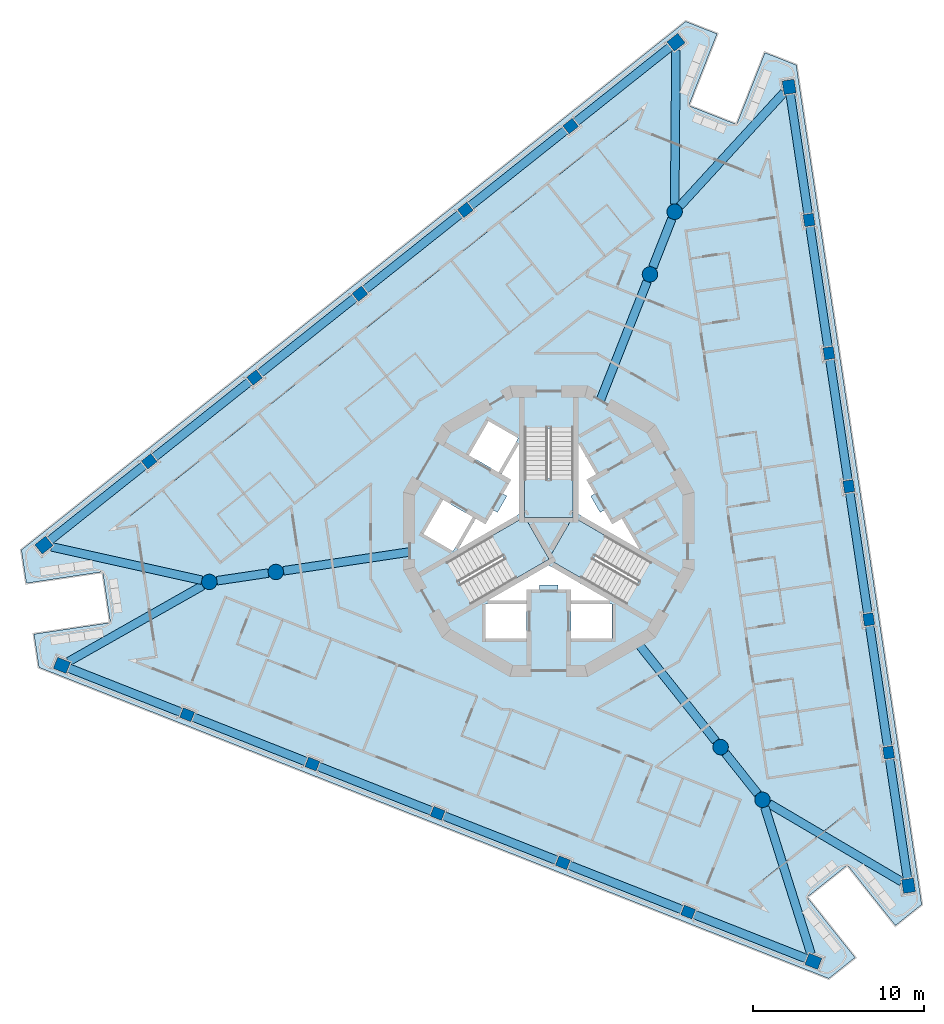
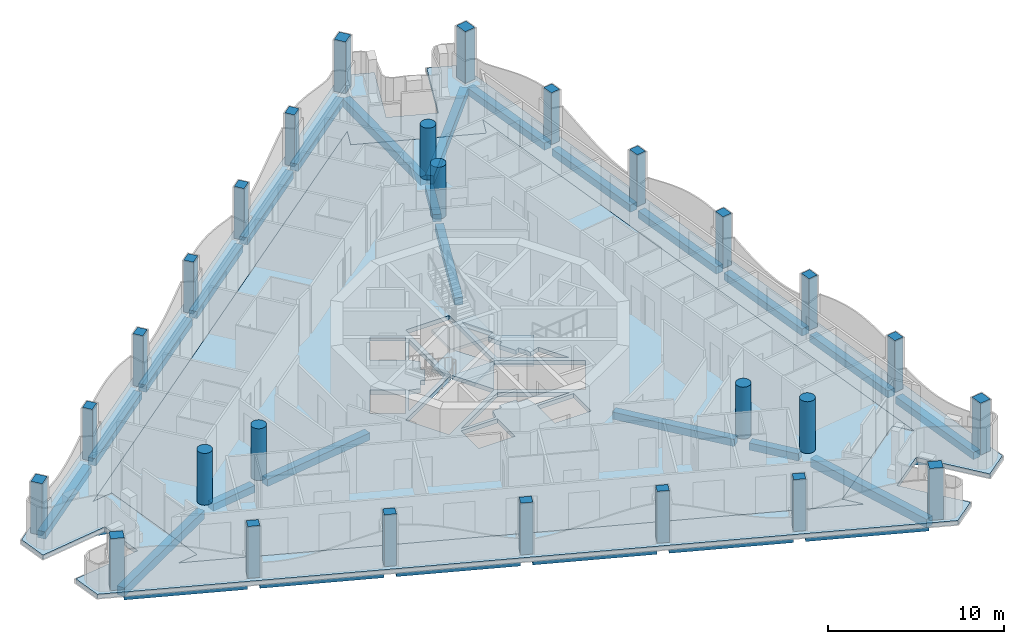
# One storey, part 1 of 16: 30 beams, 27 columns, 6 slabs, 3 elements without a shape of their own.
"""IFC4 building model written with IfcOpenShell, lengths in metres."""

import ifcopenshell
import ifcopenshell.guid

model = None  # the IFC model being written
_history = None  # IfcOwnerHistory: only IFC2X3 demands one
_inside = {}  # id of a spatial element -> (the spatial element, [elements in it])
_under = {}  # id of a project, library or spatial element -> (it, [spatial elements below it])
_declared = {}  # id of a project -> (the project, [libraries it declares])
_typed = {}  # id of a type object -> (the type object, [elements of that type])
_made_of = {}  # id of a material, layer set ... -> (it, [elements and type objects made of it])


def new_model(schema):
    """Start an empty IFC model of exactly this schema.

    Asked for "IFC4X3", IfcOpenShell would pick the latest addendum, in which some entities
    have other attributes; the version numbers below select the first issue.
    IFC2X3 requires an IfcOwnerHistory on every rooted entity: one is made here for all.
    """
    global model, _history
    if schema == "IFC4X3":
        model = ifcopenshell.file(schema_version=(4, 3, 0, 0))
    else:
        model = ifcopenshell.file(schema=schema)
    _inside.clear()
    _under.clear()
    _declared.clear()
    _typed.clear()
    _made_of.clear()
    _history = None
    if model.schema == "IFC2X3":
        org = make("IfcOrganization", Name="unknown")
        user = make(
            "IfcPersonAndOrganization",
            ThePerson=make("IfcPerson", FamilyName="unknown"),
            TheOrganization=org,
        )
        app = make(
            "IfcApplication",
            ApplicationDeveloper=org,
            Version="unknown",
            ApplicationFullName="unknown",
            ApplicationIdentifier="unknown",
        )
        _history = make(
            "IfcOwnerHistory",
            OwningUser=user,
            OwningApplication=app,
            ChangeAction="ADDED",
            CreationDate=0,
        )
    return model


def make(cls, **values):
    """One entity of the class cls with the attributes given. An attribute that is None is left unset."""
    return model.create_entity(
        cls, **{name: value for name, value in values.items() if value is not None}
    )


def rooted(cls, **values):
    """An entity with a GlobalId (a new one), such as an element, a storey or a relation."""
    return make(cls, GlobalId=ifcopenshell.guid.new(), OwnerHistory=_history, **values)


def si_unit(unit_type, name, prefix=None):
    """IfcSIUnit, for example si_unit("LENGTHUNIT", "METRE", prefix="MILLI")."""
    return make("IfcSIUnit", UnitType=unit_type, Prefix=prefix, Name=name)


def assignment(units):
    """IfcUnitAssignment: the units of a project."""
    return None if units is None else make("IfcUnitAssignment", Units=units)


def point(xyz):
    """IfcCartesianPoint."""
    return None if xyz is None else make("IfcCartesianPoint", Coordinates=xyz)


def direction(xyz):
    """IfcDirection."""
    return None if xyz is None else make("IfcDirection", DirectionRatios=xyz)


def frame(location, z_axis=None, x_axis=None):
    """IfcAxis2Placement3D, a coordinate frame: its origin and axes. An axis left out is left unset."""
    return make(
        "IfcAxis2Placement3D",
        Location=point(location),
        Axis=direction(z_axis),
        RefDirection=direction(x_axis),
    )


def frame_2d(location, x_axis=None):
    """IfcAxis2Placement2D, a coordinate frame in the plane: its origin and x axis."""
    return make(
        "IfcAxis2Placement2D", Location=point(location), RefDirection=direction(x_axis)
    )


def origin():
    """The frame at (0, 0, 0) with its axes left unset."""
    return frame((0.0, 0.0, 0.0))


def origin_2d():
    """The frame at (0, 0) in the plane with its x axis left unset."""
    return frame_2d((0.0, 0.0))


def place(relative_to, where):
    """IfcLocalPlacement: puts the frame where relative to a parent placement (None: the world)."""
    return make(
        "IfcLocalPlacement", PlacementRelTo=relative_to, RelativePlacement=where
    )


def context(
    kind, dimensions, precision=None, world=None, true_north=None, identifier=None
):
    """IfcGeometricRepresentationContext, for example the 3D "Model" context."""
    return make(
        "IfcGeometricRepresentationContext",
        ContextIdentifier=identifier,
        ContextType=kind,
        CoordinateSpaceDimension=dimensions,
        Precision=precision,
        WorldCoordinateSystem=world,
        TrueNorth=true_north,
    )


def subcontext(parent, identifier, kind, view, scale=None):
    """IfcGeometricRepresentationSubContext, for example "Body" below "Model"."""
    return make(
        "IfcGeometricRepresentationSubContext",
        ContextIdentifier=identifier,
        ContextType=kind,
        ParentContext=parent,
        TargetScale=scale,
        TargetView=view,
    )


def project(units=None, contexts=None):
    """IfcProject with its units and contexts."""
    return rooted(
        "IfcProject",
        Name="project",
        RepresentationContexts=contexts,
        UnitsInContext=assignment(units),
    )


def spatial(cls, under=None, at=None, **own):
    """A site, building, storey or space (cls), placed at a placement, below another one or the project."""
    s = rooted(cls, ObjectPlacement=at, **own)
    if under is not None:
        _under.setdefault(under.id(), (under, []))[1].append(s)
    return s


def polyline(points):
    """IfcPolyline through the points."""
    return make("IfcPolyline", Points=[point(p) for p in points])


def profile(cls, at=None, kind="AREA", **sizes):
    """A parametric profile (cls). Its sizes go by their IFC names, for example OverallWidth=200.0."""
    return make(cls, ProfileType=kind, Position=at, **sizes)


def rectangle(**sizes):
    """IfcRectangleProfileDef."""
    return profile("IfcRectangleProfileDef", **sizes)


def circle(**sizes):
    """IfcCircleProfileDef."""
    return profile("IfcCircleProfileDef", **sizes)


def outline(outer, holes=None, kind="AREA"):
    """IfcArbitraryClosedProfileDef: a profile drawn as a closed curve; with holes, ...WithVoids."""
    if holes is None:
        return make("IfcArbitraryClosedProfileDef", ProfileType=kind, OuterCurve=outer)
    return make(
        "IfcArbitraryProfileDefWithVoids",
        ProfileType=kind,
        OuterCurve=outer,
        InnerCurves=holes,
    )


def extrude(swept, where, along, depth):
    """IfcExtrudedAreaSolid: the profile swept, set in the frame where, extruded along a direction by depth."""
    return make(
        "IfcExtrudedAreaSolid",
        SweptArea=swept,
        Position=where,
        ExtrudedDirection=direction(along),
        Depth=depth,
    )


def shape(context_of_items, identifier, shape_type, items):
    """IfcShapeRepresentation: the items that make up one representation, for example the "Body"."""
    return make(
        "IfcShapeRepresentation",
        ContextOfItems=context_of_items,
        RepresentationIdentifier=identifier,
        RepresentationType=shape_type,
        Items=items,
    )


def material(Name=None, Category=None):
    """IfcMaterial."""
    return make("IfcMaterial", Name=Name, Category=Category)


def layer(
    of_material, thickness, ventilated=None, Name=None, Category=None, Priority=None
):
    """IfcMaterialLayer: one layer of a wall or slab, of a material (None: an air gap)."""
    return make(
        "IfcMaterialLayer",
        Material=of_material,
        LayerThickness=thickness,
        IsVentilated=ventilated,
        Name=Name,
        Category=Category,
        Priority=Priority,
    )


def layer_set(layers, Name=None):
    """IfcMaterialLayerSet."""
    return make("IfcMaterialLayerSet", MaterialLayers=layers, LayerSetName=Name)


def material_profile(
    of_material, cross_section, Name=None, Category=None, Priority=None
):
    """IfcMaterialProfile: a cross section and its material."""
    return make(
        "IfcMaterialProfile",
        Name=Name,
        Material=of_material,
        Profile=cross_section,
        Priority=Priority,
        Category=Category,
    )


def profile_set(profiles, Name=None, composite=None):
    """IfcMaterialProfileSet."""
    return make(
        "IfcMaterialProfileSet",
        Name=Name,
        MaterialProfiles=profiles,
        CompositeProfile=composite,
    )


def made_of(thing, what):
    """Note that an element or type object is made of a material, layer set ...; save() writes the relation."""
    if what is not None:
        _made_of.setdefault(what.id(), (what, []))[1].append(thing)
    return thing


def type_object(cls, material=None, **own):
    """A type object (cls), such as IfcWallType, which elements share."""
    return made_of(rooted(cls, **own), material)


def element(
    cls,
    number,
    at=None,
    inside=None,
    cuts=None,
    type_object=None,
    material=None,
    context=None,
    identifier="Body",
    shape_type=None,
    held_by="IfcProductDefinitionShape",
    body=None,
    shapes=None,
    **own,
):
    """One element of the class cls, such as IfcWall. Its Tag is "e" and its number.

    at: its placement. inside: the storey or other place that contains it. cuts: it is an
    opening in that element (IfcRelVoidsElement). A single representation is given by context,
    identifier, shape_type and body (its items); several are given by shapes. held_by: the class
    of the entity that holds the representations. save() writes the other relations.
    """
    e = rooted(cls, Tag="e%d" % number, ObjectPlacement=at, **own)
    if body is not None:
        shapes = [shape(context, identifier, shape_type, body)]
    if shapes is not None:
        e.Representation = make(held_by, Representations=shapes)
    if inside is not None:
        _inside.setdefault(inside.id(), (inside, []))[1].append(e)
    if cuts is not None:
        rooted(
            "IfcRelVoidsElement", RelatingBuildingElement=cuts, RelatedOpeningElement=e
        )
    if type_object is not None:
        _typed.setdefault(type_object.id(), (type_object, []))[1].append(e)
    return made_of(e, material)


def aggregate(whole, parts):
    """IfcRelAggregates: a whole, such as a stair, and the parts it consists of."""
    return rooted("IfcRelAggregates", RelatingObject=whole, RelatedObjects=parts)


def save(model, path):
    """Write the relations noted so far, then the file.

    IfcRelAggregates (storeys below a building ...), IfcRelContainedInSpatialStructure (elements
    in a storey), IfcRelDefinesByType, IfcRelAssociatesMaterial and IfcRelDeclares: one each for
    every whole, place, type object, material and project.
    """
    for whole, parts in _under.values():
        aggregate(whole, parts)
    for where, things in _inside.values():
        rooted(
            "IfcRelContainedInSpatialStructure",
            RelatedElements=things,
            RelatingStructure=where,
        )
    for kind, things in _typed.values():
        rooted("IfcRelDefinesByType", RelatedObjects=things, RelatingType=kind)
    for what, things in _made_of.values():
        rooted("IfcRelAssociatesMaterial", RelatedObjects=things, RelatingMaterial=what)
    for by, libraries in _declared.values():
        rooted("IfcRelDeclares", RelatingContext=by, RelatedDefinitions=libraries)
    model.write(path)


model = new_model("IFC4")

# Units and contexts
model_context = context("Model", 3, precision=1e-05, world=origin(), true_north=direction((0.0, 1.0)))
body_context = subcontext(model_context, "Body", "Model", "MODEL_VIEW")
ifc_project = project(units=[si_unit("LENGTHUNIT", "METRE"), si_unit("AREAUNIT", "SQUARE_METRE"), si_unit("VOLUMEUNIT", "CUBIC_METRE"), si_unit("PLANEANGLEUNIT", "RADIAN"), si_unit("MASSUNIT", "GRAM", prefix="KILO")], contexts=[model_context])

# Site, building, storey
site_placement = place(None, origin())
site = spatial("IfcSite", under=ifc_project, at=site_placement, CompositionType="ELEMENT")
building_placement = place(site_placement, origin())
building = spatial("IfcBuilding", under=site, at=building_placement, Name="Trine Commons Tower", CompositionType="ELEMENT")
storey_placement = place(building_placement, frame((0.0, 0.0, 219.60009765625)))
storey = spatial("IfcBuildingStorey", under=building, at=storey_placement, Name="L57", CompositionType="ELEMENT", Elevation=219.60009765625)

# Columns
ifc_material_1 = material(Name="Concrete C60/75", Category="concrete")
ifc_material_profile_1 = material_profile(ifc_material_1, rectangle(XDim=0.699951171875, YDim=0.60009765625, at=origin_2d()), Name="RC 700x600")
ifc_profile_set_1 = profile_set([ifc_material_profile_1], Name="Concrete C60/75")
column_type_1 = type_object("IfcColumnType", Name="RC column 700x600, C60/75", PredefinedType="COLUMN", material=ifc_profile_set_1)
for number, where, z_axis, x_axis, name in (
    (1, (88.125, 40.285888671875, 0.0), (0.0, 0.0, 1.0), (-0.930417567982, 0.366501226724, 0.0), "Column PC6-02 L57"),
    (2, (80.82080078125, 43.1630859375, 0.0), (0.0, 0.0, 1.0), (-0.930417567982, 0.366501226724, 0.0), "Column PC6-03 L57"),
    (3, (73.516357421875, 46.04052734375, 0.0), (0.0, 0.0, 1.0), (-0.930417567982, 0.366501226724, 0.0), "Column PC6-04 L57"),
    (4, (66.212158203125, 48.917724609375, 0.0), (0.0, 0.0, 1.0), (-0.930417567982, 0.366501226724, 0.0), "Column PC6-05 L57"),
    (5, (58.90771484375, 51.794921875, 0.0), (0.0, 0.0, 1.0), (-0.930417567982, 0.366501226724, 0.0), "Column PC6-06 L57"),
    (6, (56.699462890625, 66.570556640625, 0.0), (0.0, 0.0, 1.0), (0.782608156852, 0.622514636638, 0.0), "Column PC6-09 L57"),
    (7, (62.843505859375, 71.45751953125, 0.0), (0.0, 0.0, 1.0), (0.782608156852, 0.622514636638, 0.0), "Column PC6-10 L57"),
    (8, (68.9873046875, 76.3447265625, 0.0), (0.0, 0.0, 1.0), (0.782608156852, 0.622514636638, 0.0), "Column PC6-11 L57"),
    (9, (75.13134765625, 81.231689453125, 0.0), (0.0, 0.0, 1.0), (0.782608156852, 0.622514636638, 0.0), "Column PC6-12 L57"),
    (10, (81.275390625, 86.118896484375, 0.0), (0.0, 0.0, 1.0), (0.782608156852, 0.622514636638, 0.0), "Column PC6-13 L57"),
    (11, (95.17529296875, 80.6435546875, 0.0), (0.0, 0.0, 1.0), (-0.14780941113, 0.989015863362, 0.0), "Column PC6-16 L57"),
    (12, (96.335693359375, 72.879150390625, 0.0), (0.0, 0.0, 1.0), (-0.14780941113, 0.989015863362, 0.0), "Column PC6-17 L57"),
    (13, (97.49609375, 65.11474609375, 0.0), (0.0, 0.0, 1.0), (-0.14780941113, 0.989015863362, 0.0), "Column PC6-18 L57"),
    (14, (98.656494140625, 57.350341796875, 0.0), (0.0, 0.0, 1.0), (-0.14780941113, 0.989015863362, 0.0), "Column PC6-19 L57"),
    (15, (99.81689453125, 49.586181640625, 0.0), (0.0, 0.0, 1.0), (-0.14780941113, 0.989015863362, 0.0), "Column PC6-20 L57"),
):
    element("IfcColumn", number, at=place(storey_placement, frame(where, z_axis=z_axis, x_axis=x_axis)), inside=storey, type_object=column_type_1, Name=name, PredefinedType="COLUMN", context=body_context, shape_type="SweptSolid", body=[
        extrude(rectangle(XDim=0.699951171875, YDim=0.60009765625, at=origin_2d()), origin(), (0.0, 0.0, 1.0), 3.599853515625),
    ])
ifc_material_profile_2 = material_profile(ifc_material_1, rectangle(XDim=0.800048828125, YDim=0.699951171875, at=origin_2d()), Name="RC 800x700")
ifc_profile_set_2 = profile_set([ifc_material_profile_2], Name="Concrete C60/75")
column_type_2 = type_object("IfcColumnType", Name="RC column 800x700, C60/75", PredefinedType="COLUMN", material=ifc_profile_set_2)
for number, where, z_axis, x_axis, name in (
    (16, (95.429443359375, 37.40869140625, 0.0), (0.0, 0.0, 1.0), (-0.930417567982, 0.366501226724, 0.0), "Column PC6-01 L57"),
    (17, (51.603515625, 54.67236328125, 0.0), (0.0, 0.0, 1.0), (-0.930417567982, 0.366501226724, 0.0), "Column PC6-07 L57"),
    (18, (50.5556640625, 61.683349609375, 0.0), (0.0, 0.0, 1.0), (0.782608156852, 0.622514636638, 0.0), "Column PC6-08 L57"),
    (19, (87.419189453125, 91.006103515625, 0.0), (0.0, 0.0, 1.0), (0.782608156852, 0.622514636638, 0.0), "Column PC6-14 L57"),
    (20, (94.014892578125, 88.407958984375, 0.0), (0.0, 0.0, 1.0), (-0.14780941113, 0.989015863362, 0.0), "Column PC6-15 L57"),
    (21, (100.977294921875, 41.82177734375, 0.0), (0.0, 0.0, 1.0), (-0.14780941113, 0.989015863362, 0.0), "Column PC6-21 L57"),
):
    element("IfcColumn", number, at=place(storey_placement, frame(where, z_axis=z_axis, x_axis=x_axis)), inside=storey, type_object=column_type_2, Name=name, PredefinedType="COLUMN", context=body_context, shape_type="SweptSolid", body=[
        extrude(rectangle(XDim=0.800048828125, YDim=0.699951171875, at=origin_2d()), origin(), (0.0, 0.0, 1.0), 3.599853515625),
    ])
ifc_material_profile_3 = material_profile(ifc_material_1, circle(Radius=0.449951171875, at=origin_2d()), Name="RC round 900")
ifc_profile_set_3 = profile_set([ifc_material_profile_3], Name="Concrete C60/75")
column_type_3 = type_object("IfcColumnType", Name="RC round column 900 mm, C60/75", PredefinedType="COLUMN", material=ifc_profile_set_3)
for number, where, z_axis, x_axis, name in (
    (22, (90.018798828125, 49.90478515625, 0.0), (0.0, 0.0, 1.0), (1.0, 0.0, 0.0), "Column WC6-1 L57"),
    (23, (92.461669921875, 46.83349609375, 0.0), (0.0, 0.0, 1.0), (1.0, 0.0, 0.0), "Column WC6-2 L57"),
    (24, (85.8984375, 77.47412109375, 0.0), (0.0, 0.0, 1.0), (1.0, 0.0, 0.0), "Column WC6-3 L57"),
    (25, (87.336669921875, 81.125244140625, 0.0), (0.0, 0.0, 1.0), (1.0, 0.0, 0.0), "Column WC6-4 L57"),
    (26, (64.082763671875, 60.12109375, 0.0), (0.0, 0.0, 1.0), (1.0, 0.0, 0.0), "Column WC6-5 L57"),
    (27, (60.20166015625, 59.541015625, 0.0), (0.0, 0.0, 1.0), (1.0, 0.0, 0.0), "Column WC6-6 L57"),
):
    element("IfcColumn", number, at=place(storey_placement, frame(where, z_axis=z_axis, x_axis=x_axis)), inside=storey, type_object=column_type_3, Name=name, PredefinedType="COLUMN", context=body_context, shape_type="SweptSolid", body=[
        extrude(circle(Radius=0.449951171875, at=origin_2d()), origin(), (0.0, 0.0, 1.0), 3.599853515625),
    ])

# Beams
ifc_material_2 = material(Name="Concrete C40/50", Category="concrete")
ifc_material_profile_4 = material_profile(ifc_material_2, rectangle(XDim=0.5, YDim=0.5, at=origin_2d()), Name="RC 500x500")
ifc_profile_set_4 = profile_set([ifc_material_profile_4], Name="Concrete C40/50")
beam_type_1 = type_object("IfcBeamType", Name="RC beam 500x500, C40/50", PredefinedType="BEAM", material=ifc_profile_set_4)
beam_1_placement = place(storey_placement, frame((95.05712890625, 37.555419921875, -0.550048828125), z_axis=(-0.930420117749, 0.366494753699, 0.0), x_axis=(-0.366494753699, -0.930420117749, 0.0)))
element("IfcBeam", 28, at=beam_1_placement, inside=storey, type_object=beam_type_1, Name="Beam EB6-01 L57", PredefinedType="BEAM", context=body_context, shape_type="SweptSolid", body=[
    extrude(rectangle(XDim=0.5, YDim=0.5, at=origin_2d()), origin(), (0.0, 0.0, 1.0), 7.1005859375),
])
for number, where, z_axis, x_axis, name in (
    (29, (87.799560546875, 40.414306640625, -0.550048828125), (-0.93042285796, 0.366487797048, 0.0), (-0.366487797048, -0.93042285796, 0.0), "Beam EB6-02 L57"),
    (30, (80.4951171875, 43.29150390625, -0.550048828125), (-0.93042285796, 0.366487797048, 0.0), (-0.366487797048, -0.93042285796, 0.0), "Beam EB6-03 L57"),
):
    element("IfcBeam", number, at=place(storey_placement, frame(where, z_axis=z_axis, x_axis=x_axis)), inside=storey, type_object=beam_type_1, Name=name, PredefinedType="BEAM", context=body_context, shape_type="SweptSolid", body=[
        extrude(rectangle(XDim=0.5, YDim=0.5, at=origin_2d()), origin(), (0.0, 0.0, 1.0), 7.150634765625),
    ])
beam_2_placement = place(storey_placement, frame((73.19091796875, 46.168701171875, -0.550048828125), z_axis=(-0.930427443561, 0.366476155115, 0.0), x_axis=(-0.366476155115, -0.930427443561, 0.0)))
element("IfcBeam", 31, at=beam_2_placement, inside=storey, type_object=beam_type_1, Name="Beam EB6-04 L57", PredefinedType="BEAM", context=body_context, shape_type="SweptSolid", body=[
    extrude(rectangle(XDim=0.5, YDim=0.5, at=origin_2d()), origin(), (0.0, 0.0, 1.0), 7.15087890625),
])
beam_3_placement = place(storey_placement, frame((65.886474609375, 49.0458984375, -0.550048828125), z_axis=(-0.930411215363, 0.366517353378, 0.0), x_axis=(-0.366517353378, -0.930411215363, 0.0)))
element("IfcBeam", 32, at=beam_3_placement, inside=storey, type_object=beam_type_1, Name="Beam EB6-05 L57", PredefinedType="BEAM", context=body_context, shape_type="SweptSolid", body=[
    extrude(rectangle(XDim=0.5, YDim=0.5, at=origin_2d()), origin(), (0.0, 0.0, 1.0), 7.150634765625),
])
beam_4_placement = place(storey_placement, frame((58.582275390625, 51.92333984375, -0.550048828125), z_axis=(-0.930424735877, 0.366483029441, 0.0), x_axis=(-0.366483029441, -0.930424735877, 0.0)))
element("IfcBeam", 33, at=beam_4_placement, inside=storey, type_object=beam_type_1, Name="Beam EB6-06 L57", PredefinedType="BEAM", context=body_context, shape_type="SweptSolid", body=[
    extrude(rectangle(XDim=0.5, YDim=0.5, at=origin_2d()), origin(), (0.0, 0.0, 1.0), 7.100830078125),
])
beam_5_placement = place(storey_placement, frame((50.86865234375, 61.932373046875, -0.550048828125), z_axis=(0.782606764813, 0.622516386667, 0.0), x_axis=(-0.622516386667, 0.782606764813, 0.0)))
element("IfcBeam", 34, at=beam_5_placement, inside=storey, type_object=beam_type_1, Name="Beam EB6-07 L57", PredefinedType="BEAM", context=body_context, shape_type="SweptSolid", body=[
    extrude(rectangle(XDim=0.5, YDim=0.5, at=origin_2d()), origin(), (0.0, 0.0, 1.0), 7.1005859375),
])
beam_6_placement = place(storey_placement, frame((56.973388671875, 66.788330078125, -0.550048828125), z_axis=(0.78260785881, 0.622515011329, 0.0), x_axis=(-0.622515011329, 0.78260785881, 0.0)))
element("IfcBeam", 35, at=beam_6_placement, inside=storey, type_object=beam_type_1, Name="Beam EB6-08 L57", PredefinedType="BEAM", context=body_context, shape_type="SweptSolid", body=[
    extrude(rectangle(XDim=0.5, YDim=0.5, at=origin_2d()), origin(), (0.0, 0.0, 1.0), 7.150634765625),
])
beam_7_placement = place(storey_placement, frame((63.117431640625, 71.675537109375, -0.550048828125), z_axis=(0.782611261581, 0.622510733439, 0.0), x_axis=(-0.622510733439, 0.782611261581, 0.0)))
element("IfcBeam", 36, at=beam_7_placement, inside=storey, type_object=beam_type_1, Name="Beam EB6-09 L57", PredefinedType="BEAM", context=body_context, shape_type="SweptSolid", body=[
    extrude(rectangle(XDim=0.5, YDim=0.5, at=origin_2d()), origin(), (0.0, 0.0, 1.0), 7.150390625),
])
for number, where, z_axis, x_axis, name in (
    (37, (69.26123046875, 76.5625, -0.550048828125), (0.78260785881, 0.622515011329, 0.0), (-0.622515011329, 0.78260785881, 0.0), "Beam EB6-10 L57"),
    (38, (75.4052734375, 81.44970703125, -0.550048828125), (0.782624492464, 0.622494099407, 0.0), (-0.622494099407, 0.782624492464, 0.0), "Beam EB6-11 L57"),
):
    element("IfcBeam", number, at=place(storey_placement, frame(where, z_axis=z_axis, x_axis=x_axis)), inside=storey, type_object=beam_type_1, Name=name, PredefinedType="BEAM", context=body_context, shape_type="SweptSolid", body=[
        extrude(rectangle(XDim=0.5, YDim=0.5, at=origin_2d()), origin(), (0.0, 0.0, 1.0), 7.150634765625),
    ])
beam_8_placement = place(storey_placement, frame((81.54931640625, 86.3369140625, -0.550048828125), z_axis=(0.782606764813, 0.622516386667, 0.0), x_axis=(-0.622516386667, 0.782606764813, 0.0)))
element("IfcBeam", 39, at=beam_8_placement, inside=storey, type_object=beam_type_1, Name="Beam EB6-12 L57", PredefinedType="BEAM", context=body_context, shape_type="SweptSolid", body=[
    extrude(rectangle(XDim=0.5, YDim=0.5, at=origin_2d()), origin(), (0.0, 0.0, 1.0), 7.1005859375),
])
beam_9_placement = place(storey_placement, frame((94.07421875, 88.01220703125, -0.550048828125), z_axis=(0.147815848306, -0.989014901298, 0.0), x_axis=(0.989014901298, 0.147815848306, 0.0)))
element("IfcBeam", 40, at=beam_9_placement, inside=storey, type_object=beam_type_1, Name="Beam EB6-13 L57", PredefinedType="BEAM", context=body_context, shape_type="SweptSolid", body=[
    extrude(rectangle(XDim=0.5, YDim=0.5, at=origin_2d()), origin(), (0.0, 0.0, 1.0), 7.100341796875),
])
for number, where, z_axis, x_axis, name in (
    (41, (95.22705078125, 80.29736328125, -0.550048828125), (0.147804496566, -0.989016597836, 0.0), (0.989016597836, 0.147804496566, 0.0), "Beam EB6-14 L57"),
    (42, (96.387451171875, 72.532958984375, -0.550048828125), (0.147804496566, -0.989016597836, 0.0), (0.989016597836, 0.147804496566, 0.0), "Beam EB6-15 L57"),
    (43, (97.5478515625, 64.7685546875, -0.550048828125), (0.147804496566, -0.989016597836, 0.0), (0.989016597836, 0.147804496566, 0.0), "Beam EB6-16 L57"),
):
    element("IfcBeam", number, at=place(storey_placement, frame(where, z_axis=z_axis, x_axis=x_axis)), inside=storey, type_object=beam_type_1, Name=name, PredefinedType="BEAM", context=body_context, shape_type="SweptSolid", body=[
        extrude(rectangle(XDim=0.5, YDim=0.5, at=origin_2d()), origin(), (0.0, 0.0, 1.0), 7.150634765625),
    ])
beam_10_placement = place(storey_placement, frame((98.708251953125, 57.004150390625, -0.550048828125), z_axis=(0.147809487776, -0.989015851907, 0.0), x_axis=(0.989015851907, 0.147809487776, 0.0)))
element("IfcBeam", 44, at=beam_10_placement, inside=storey, type_object=beam_type_1, Name="Beam EB6-17 L57", PredefinedType="BEAM", context=body_context, shape_type="SweptSolid", body=[
    extrude(rectangle(XDim=0.5, YDim=0.5, at=origin_2d()), origin(), (0.0, 0.0, 1.0), 7.150390625),
])
beam_11_placement = place(storey_placement, frame((99.86865234375, 49.239990234375, -0.550048828125), z_axis=(0.14781082184, -0.989015652529, 0.0), x_axis=(0.989015652529, 0.14781082184, 0.0)))
element("IfcBeam", 45, at=beam_11_placement, inside=storey, type_object=beam_type_1, Name="Beam EB6-18 L57", PredefinedType="BEAM", context=body_context, shape_type="SweptSolid", body=[
    extrude(rectangle(XDim=0.5, YDim=0.5, at=origin_2d()), origin(), (0.0, 0.0, 1.0), 7.1005859375),
])
beam_12_placement = place(storey_placement, frame((85.101318359375, 56.0869140625, -0.550048828125), z_axis=(0.622498476125, -0.782621011232, 0.0), x_axis=(0.782621011232, 0.622498476125, 0.0)))
element("IfcBeam", 46, at=beam_12_placement, inside=storey, type_object=beam_type_1, Name="Beam RB6-01 L57", PredefinedType="BEAM", context=body_context, shape_type="SweptSolid", body=[
    extrude(rectangle(XDim=0.5, YDim=0.5, at=origin_2d()), origin(), (0.0, 0.0, 1.0), 7.44970703125),
])
beam_13_placement = place(storey_placement, frame((90.298583984375, 49.552734375, -0.550048828125), z_axis=(0.622497726794, -0.782621607251, 0.0), x_axis=(0.782621607251, 0.622497726794, 0.0)))
element("IfcBeam", 47, at=beam_13_placement, inside=storey, type_object=beam_type_1, Name="Beam RB6-02 L57", PredefinedType="BEAM", context=body_context, shape_type="SweptSolid", body=[
    extrude(rectangle(XDim=0.5, YDim=0.5, at=origin_2d()), origin(), (0.0, 0.0, 1.0), 3.02490234375),
])
beam_14_placement = place(storey_placement, frame((83.00341796875, 70.12451171875, -0.550048828125), z_axis=(0.366497867563, 0.930418891184, 0.0), x_axis=(-0.930418891184, 0.366497867563, 0.0)))
element("IfcBeam", 48, at=beam_14_placement, inside=storey, type_object=beam_type_1, Name="Beam RB6-03 L57", PredefinedType="BEAM", context=body_context, shape_type="SweptSolid", body=[
    extrude(rectangle(XDim=0.5, YDim=0.5, at=origin_2d()), origin(), (0.0, 0.0, 1.0), 7.449462890625),
])
beam_15_placement = place(storey_placement, frame((86.063232421875, 77.892578125, -0.550048828125), z_axis=(0.366528753051, 0.930406724603, 0.0), x_axis=(-0.930406724603, 0.366528753051, 0.0)))
element("IfcBeam", 49, at=beam_15_placement, inside=storey, type_object=beam_type_1, Name="Beam RB6-04 L57", PredefinedType="BEAM", context=body_context, shape_type="SweptSolid", body=[
    extrude(rectangle(XDim=0.5, YDim=0.5, at=origin_2d()), origin(), (0.0, 0.0, 1.0), 3.024658203125),
])
beam_16_placement = place(storey_placement, frame((71.8955078125, 61.288818359375, -0.550048828125), z_axis=(-0.989013138411, -0.147827643054, 0.0), x_axis=(0.147827643054, -0.989013138411, 0.0)))
element("IfcBeam", 50, at=beam_16_placement, inside=storey, type_object=beam_type_1, Name="Beam RB6-05 L57", PredefinedType="BEAM", context=body_context, shape_type="SweptSolid", body=[
    extrude(rectangle(XDim=0.5, YDim=0.5, at=origin_2d()), origin(), (0.0, 0.0, 1.0), 7.449951171875),
])
beam_17_placement = place(storey_placement, frame((63.63818359375, 60.0546875, -0.550048828125), z_axis=(-0.989011987503, -0.14783534278, 0.0), x_axis=(0.14783534278, -0.989011987503, 0.0)))
element("IfcBeam", 51, at=beam_17_placement, inside=storey, type_object=beam_type_1, Name="Beam RB6-06 L57", PredefinedType="BEAM", context=body_context, shape_type="SweptSolid", body=[
    extrude(rectangle(XDim=0.5, YDim=0.5, at=origin_2d()), origin(), (0.0, 0.0, 1.0), 3.025390625),
])
ifc_material_profile_5 = material_profile(ifc_material_2, rectangle(XDim=0.5, YDim=0.60009765625, at=origin_2d()), Name="RC 500x600")
ifc_profile_set_5 = profile_set([ifc_material_profile_5], Name="Concrete C40/50")
beam_type_2 = type_object("IfcBeamType", Name="RC beam 500x600, C40/50", PredefinedType="BEAM", material=ifc_profile_set_5)
for number, where, z_axis, x_axis, name in (
    (52, (51.9951171875, 54.89404296875, -0.60009765625), (0.870168672724, 0.492753976148, 0.0), (-0.492753976148, 0.870168672724, 0.0), "Beam CB6-01 L57"),
    (53, (50.9951171875, 61.585693359375, -0.60009765625), (0.976218391118, -0.216789420505, 0.0), (0.216789420505, 0.976218391118, 0.0), "Beam CB6-02 L57"),
):
    element("IfcBeam", number, at=place(storey_placement, frame(where, z_axis=z_axis, x_axis=x_axis)), inside=storey, type_object=beam_type_2, Name=name, PredefinedType="BEAM", context=body_context, shape_type="SweptSolid", body=[
        extrude(rectangle(XDim=0.5, YDim=0.60009765625, at=origin_2d()), origin(), (0.0, 0.0, 1.0), 8.981201171875),
    ])
beam_18_placement = place(storey_placement, frame((87.41552734375, 90.555908203125, -0.60009765625), z_axis=(-0.008345502486, -0.999965175688, 0.0), x_axis=(0.999965175688, -0.008345502486, 0.0)))
element("IfcBeam", 54, at=beam_18_placement, inside=storey, type_object=beam_type_2, Name="Beam CB6-03 L57", PredefinedType="BEAM", context=body_context, shape_type="SweptSolid", body=[
    extrude(rectangle(XDim=0.5, YDim=0.60009765625, at=origin_2d()), origin(), (0.0, 0.0, 1.0), 8.98095703125),
])
beam_19_placement = place(storey_placement, frame((93.710693359375, 88.076171875, -0.60009765625), z_axis=(-0.675864939366, -0.737025497344, 0.0), x_axis=(0.737025497344, -0.675864939366, 0.0)))
element("IfcBeam", 55, at=beam_19_placement, inside=storey, type_object=beam_type_2, Name="Beam CB6-04 L57", PredefinedType="BEAM", context=body_context, shape_type="SweptSolid", body=[
    extrude(rectangle(XDim=0.5, YDim=0.60009765625, at=origin_2d()), origin(), (0.0, 0.0, 1.0), 8.9814453125),
])
for number, where, z_axis, x_axis, name in (
    (56, (100.58935546875, 42.050048828125, -0.60009765625), (-0.861820288966, 0.507213751319, 0.0), (-0.507213751319, -0.861820288966, 0.0), "Beam CB6-05 L57"),
    (57, (95.294189453125, 37.838134765625, -0.60009765625), (-0.300354576277, 0.953827619913, 0.0), (-0.953827619913, -0.300354576277, 0.0), "Beam CB6-06 L57"),
):
    element("IfcBeam", number, at=place(storey_placement, frame(where, z_axis=z_axis, x_axis=x_axis)), inside=storey, type_object=beam_type_2, Name=name, PredefinedType="BEAM", context=body_context, shape_type="SweptSolid", body=[
        extrude(rectangle(XDim=0.5, YDim=0.60009765625, at=origin_2d()), origin(), (0.0, 0.0, 1.0), 8.981201171875),
    ])

# Slabs
ifc_layer_1 = layer(ifc_material_2, 0.300048828125)
ifc_layer_set_1 = layer_set([ifc_layer_1], Name="Concrete C40/50")
slab_type_1 = type_object("IfcSlabType", Name="Loggia slab 300 mm, C40/50", PredefinedType="FLOOR", material=ifc_layer_set_1)
slab_1_placement = place(storey_placement, frame((0.0, 0.0, -0.300048828125)))
element("IfcSlab", 58, at=slab_1_placement, inside=storey, type_object=slab_type_1, Name="Loggia slab L57", PredefinedType="FLOOR", context=body_context, shape_type="SweptSolid", body=[
    extrude(outline(polyline([(101.748046875, 40.7236328125), (94.430908203125, 89.683349609375), (92.603515625, 90.4033203125), (90.954345703125, 86.21630859375), (88.1630859375, 87.31591796875), (89.812255859375, 91.502685546875), (87.98486328125, 92.22265625), (49.242919921875, 61.406005859375), (49.533203125, 59.46337890625), (53.98388671875, 60.12841796875), (54.42724609375, 57.16162109375), (49.976806640625, 56.496337890625), (50.26708984375, 54.5537109375), (96.325927734375, 36.41064453125), (97.86328125, 37.63330078125), (95.061767578125, 41.155029296875), (97.40966796875, 43.022705078125), (100.2109375, 39.5009765625), (101.748046875, 40.7236328125)]), holes=[polyline([(56.002685546875, 62.85693359375), (57.15576171875, 55.142578125), (55.825439453125, 54.94384765625), (92.52685546875, 40.48681640625), (91.689453125, 41.539306640625), (97.7939453125, 46.39501953125), (98.631103515625, 45.34228515625), (92.80078125, 84.355224609375), (92.3076171875, 83.103759765625), (85.050537109375, 85.96240234375), (85.54345703125, 87.2138671875), (54.672607421875, 62.658203125), (56.002685546875, 62.85693359375)])]), origin(), (0.0, 0.0, 1.0), 0.300048828125),
])
ifc_layer_2 = layer(ifc_material_2, 0.300048828125)
ifc_layer_set_2 = layer_set([ifc_layer_2], Name="Concrete C40/50")
slab_type_2 = type_object("IfcSlabType", Name="PT flat slab 300 mm, C40/50", PredefinedType="FLOOR", material=ifc_layer_set_2)
slab_2_placement = place(storey_placement, frame((0.0, 0.0, -0.300048828125)))
element("IfcSlab", 59, at=slab_2_placement, inside=storey, type_object=slab_type_2, Name="Floor slab L57", PredefinedType="FLOOR", context=body_context, shape_type="SweptSolid", body=[
    extrude(outline(polyline([(54.672607421875, 62.658203125), (56.002685546875, 62.85693359375), (57.15576171875, 55.142578125), (55.825439453125, 54.94384765625), (92.52685546875, 40.48681640625), (91.689453125, 41.539306640625), (97.7939453125, 46.39501953125), (98.631103515625, 45.34228515625), (92.80078125, 84.355224609375), (92.3076171875, 83.103759765625), (85.050537109375, 85.96240234375), (85.54345703125, 87.2138671875), (54.672607421875, 62.658203125)]), holes=[polyline([(78.699951171875, 56.25), (78.699951171875, 58.25), (76.300048828125, 58.25), (76.300048828125, 56.25), (78.699951171875, 56.25)]), polyline([(83.699951171875, 56.25), (83.699951171875, 58.25), (81.300048828125, 58.25), (81.300048828125, 56.25), (83.699951171875, 56.25)]), polyline([(81.300048828125, 58.449951171875), (83.56494140625, 58.449951171875), (80.0, 60.508056640625), (76.43505859375, 58.449951171875), (78.699951171875, 58.449951171875), (78.85009765625, 59.10009765625), (79.449951171875, 59.10009765625), (79.449951171875, 59.360107421875), (80.550048828125, 59.360107421875), (80.550048828125, 59.10009765625), (81.14990234375, 59.10009765625), (81.300048828125, 58.449951171875)]), polyline([(81.425048828125, 63.32275390625), (81.425048828125, 68.490478515625), (78.574951171875, 68.490478515625), (78.574951171875, 63.32275390625), (74.099609375, 60.73876953125), (75.5244140625, 58.2705078125), (80.0, 60.8544921875), (84.4755859375, 58.2705078125), (85.900390625, 60.73876953125), (81.425048828125, 63.32275390625)]), polyline([(72.687255859375, 62.333984375), (74.41943359375, 61.333984375), (75.5693359375, 63.325927734375), (73.83740234375, 64.325927734375), (72.687255859375, 62.333984375)]), polyline([(76.381103515625, 63.031005859375), (75.742919921875, 63.22607421875), (74.7099609375, 61.43798828125), (78.27490234375, 63.49609375), (78.27490234375, 67.612060546875), (77.242919921875, 65.823974609375), (77.73095703125, 65.368896484375), (77.3310546875, 64.676025390625), (77.555908203125, 64.5458984375), (77.006103515625, 63.593994140625), (76.781005859375, 63.722900390625), (76.381103515625, 63.031005859375)]), polyline([(82.993896484375, 63.593994140625), (82.444091796875, 64.5458984375), (82.72705078125, 64.7099609375), (82.281005859375, 65.549072265625), (82.757080078125, 65.823974609375), (81.72509765625, 67.612060546875), (81.72509765625, 63.49609375), (85.2900390625, 61.43798828125), (84.257080078125, 63.22607421875), (83.618896484375, 63.031005859375), (83.243896484375, 63.738037109375), (82.993896484375, 63.593994140625)]), polyline([(76.4873046875, 68.916015625), (75.33740234375, 66.924072265625), (77.0693359375, 65.924072265625), (78.219482421875, 67.916015625), (76.4873046875, 68.916015625)])]), origin(), (0.0, 0.0, 1.0), 0.300048828125),
])
slab_3_placement = place(storey_placement, frame((0.0, 0.0, -0.300048828125)))
element("IfcSlab", 60, at=slab_3_placement, inside=storey, type_object=slab_type_2, Name="Floor slab L57 2", PredefinedType="FLOOR", context=body_context, shape_type="SweptSolid", body=[
    extrude(outline(polyline([(81.38671875, 63.300537109375), (78.61328125, 63.300537109375), (80.0, 60.89892578125), (81.38671875, 63.300537109375)])), origin(), (0.0, 0.0, 1.0), 0.300048828125),
])

# Stair, slab
ifc_material_3 = material(Name="Concrete C50/60", Category="concrete")
stair_type = type_object("IfcStairType", Name="Exit stair, dog-leg, 24 risers of 150 mm", PredefinedType="HALF_TURN_STAIR", material=ifc_material_3)
stair_1_placement = place(storey_placement, origin())
stair_1 = element("IfcStair", 61, at=stair_1_placement, inside=storey, type_object=stair_type, Name="L57 Exit stair ST1C", PredefinedType="HALF_TURN_STAIR")
ifc_layer_3 = layer(ifc_material_3, 0.199951171875)
ifc_layer_set_3 = layer_set([ifc_layer_3], Name="Concrete C50/60")
slab_type_3 = type_object("IfcSlabType", Name="Stair landing slab 200 mm, C50/60", PredefinedType="LANDING", material=ifc_layer_set_3)
slab_4_placement = place(storey_placement, frame((0.0, 0.0, 1.599853515625)))
slab_4 = element("IfcSlab", 62, at=slab_4_placement, type_object=slab_type_3, Name="ST1C landing 1", PredefinedType="LANDING", context=body_context, shape_type="SweptSolid", body=[
    extrude(outline(polyline([(78.574951171875, 65.570556640625), (78.574951171875, 63.300537109375), (81.425048828125, 63.300537109375), (81.425048828125, 65.570556640625), (78.574951171875, 65.570556640625)])), origin(), (0.0, 0.0, 1.0), 0.199951171875),
])
aggregate(stair_1, [slab_4])

stair_2_placement = place(storey_placement, origin())
stair_2 = element("IfcStair", 63, at=stair_2_placement, inside=storey, type_object=stair_type, Name="L57 Exit stair ST2C", PredefinedType="HALF_TURN_STAIR")
slab_5_placement = place(storey_placement, frame((0.0, 0.0, 1.599853515625)))
slab_5 = element("IfcSlab", 64, at=slab_5_placement, type_object=slab_type_3, Name="ST2C landing 1", PredefinedType="LANDING", context=body_context, shape_type="SweptSolid", body=[
    extrude(outline(polyline([(78.05322265625, 59.730712890625), (80.019287109375, 60.86572265625), (78.59423828125, 63.333740234375), (76.628173828125, 62.19873046875), (78.05322265625, 59.730712890625)])), origin(), (0.0, 0.0, 1.0), 0.199951171875),
])
aggregate(stair_2, [slab_5])

stair_3_placement = place(storey_placement, origin())
stair_3 = element("IfcStair", 65, at=stair_3_placement, inside=storey, type_object=stair_type, Name="L57 Exit stair ST3C", PredefinedType="HALF_TURN_STAIR")
slab_6_placement = place(storey_placement, frame((0.0, 0.0, 1.599853515625)))
slab_6 = element("IfcSlab", 66, at=slab_6_placement, type_object=slab_type_3, Name="ST3C landing 1", PredefinedType="LANDING", context=body_context, shape_type="SweptSolid", body=[
    extrude(outline(polyline([(83.371826171875, 62.19873046875), (81.40576171875, 63.333740234375), (79.980712890625, 60.86572265625), (81.94677734375, 59.730712890625), (83.371826171875, 62.19873046875)])), origin(), (0.0, 0.0, 1.0), 0.199951171875),
])
aggregate(stair_3, [slab_6])

save(model, "model.ifc")
